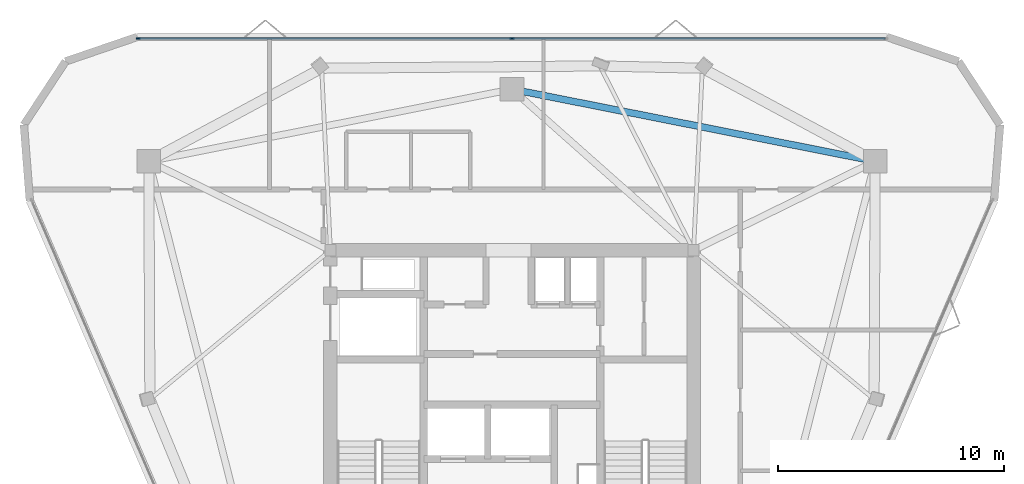
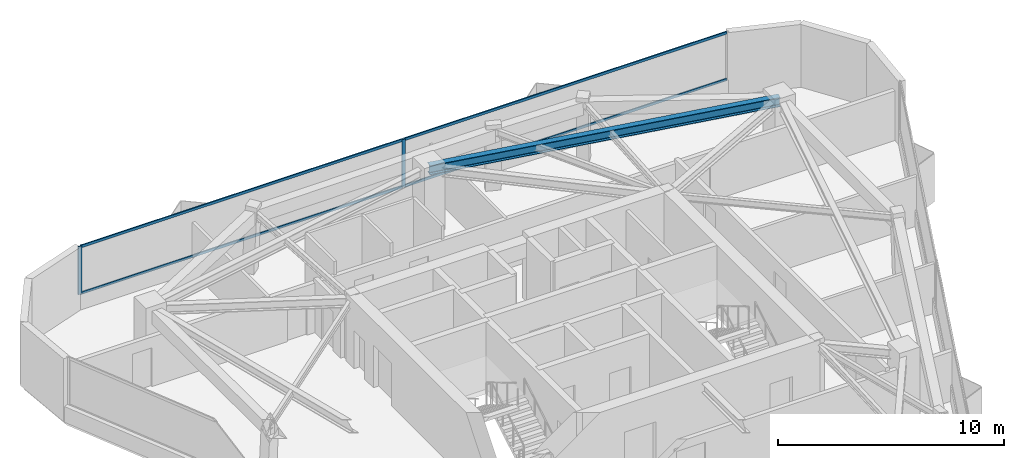
# One storey, part 5 of 10: 6 members, 1 beam, 1 element without a shape of its own.
"""IFC4 building model written with IfcOpenShell, lengths in metres."""

from ifc_helpers import new_model, si_unit, direction, frame, origin, origin_2d, place, context, subcontext, project, spatial, rectangle, i_section, extrude, material, layer, layer_set, material_profile, profile_set, type_object, element, aggregate, save


model = new_model("IFC4")

# Units and contexts
model_context = context("Model", 3, precision=1e-05, world=origin(), true_north=direction((0.0, 1.0)))
body_context = subcontext(model_context, "Body", "Model", "MODEL_VIEW")
ifc_project = project(units=[si_unit("LENGTHUNIT", "METRE"), si_unit("AREAUNIT", "SQUARE_METRE"), si_unit("VOLUMEUNIT", "CUBIC_METRE"), si_unit("PLANEANGLEUNIT", "RADIAN"), si_unit("MASSUNIT", "GRAM", prefix="KILO")], contexts=[model_context])

# Site, building, storey
site_placement = place(None, origin())
site = spatial("IfcSite", under=ifc_project, at=site_placement, CompositionType="ELEMENT")
building_placement = place(site_placement, origin())
building = spatial("IfcBuilding", under=site, at=building_placement, Name="Talyreon Biosciences Tower", CompositionType="ELEMENT")
storey_placement = place(building_placement, frame((0.0, 0.0, 287.449951171875)))
storey = spatial("IfcBuildingStorey", under=building, at=storey_placement, Name="L76", CompositionType="ELEMENT", Elevation=287.449951171875)

# Curtain wall, members
ifc_material_1 = material(Name="Thermally broken aluminium and low-E glazing", Category="aluminium")
ifc_layer = layer(ifc_material_1, 0.175048828125)
ifc_layer_set = layer_set([ifc_layer], Name="Thermally broken aluminium and low-E glazing")
curtain_wall_type = type_object("IfcCurtainWallType", Name="CurtainWall_Zone5CompLab", PredefinedType="NOTDEFINED", material=ifc_layer_set)
curtain_wall_placement = place(storey_placement, origin())
curtain_wall = element("IfcCurtainWall", 1, at=curtain_wall_placement, inside=storey, type_object=curtain_wall_type, Name="L76 Unitised Curtain Wall FCW-L76-04", PredefinedType="NOTDEFINED")
ifc_material_2 = material(Name="Anodised thermally broken aluminium", Category="aluminium")
ifc_material_profile_1 = material_profile(ifc_material_2, rectangle(XDim=0.06494140625, YDim=0.179931640625, at=origin_2d()), Name="ALUM MULLION 65x180")
ifc_profile_set_1 = profile_set([ifc_material_profile_1], Name="Anodised thermally broken aluminium")
member_type_1 = type_object("IfcMemberType", Name="CWMullion_65x180", PredefinedType="MULLION", material=ifc_profile_set_1)
member_1_placement = place(storey_placement, frame((49.4248046875, 84.037109375, 0.81005859375), z_axis=(0.0, 0.0, 1.0), x_axis=(0.0, 1.0, 0.0)))
member_1 = element("IfcMember", 2, at=member_1_placement, type_object=member_type_1, Name="CW6 mullion 1", PredefinedType="MULLION", context=body_context, shape_type="SweptSolid", body=[
    extrude(rectangle(XDim=0.06494140625, YDim=0.179931640625, at=origin_2d()), origin(), (0.0, 0.0, 1.0), 2.590087890625),
])
member_2_placement = place(storey_placement, frame((66.0, 84.037109375, 0.81005859375), z_axis=(0.0, 0.0, 1.0), x_axis=(0.0, 1.0, 0.0)))
member_2 = element("IfcMember", 3, at=member_2_placement, type_object=member_type_1, Name="CW6 mullion 2", PredefinedType="MULLION", context=body_context, shape_type="SweptSolid", body=[
    extrude(rectangle(XDim=0.06494140625, YDim=0.179931640625, at=origin_2d()), origin(), (0.0, 0.0, 1.0), 2.590087890625),
])
ifc_material_profile_2 = material_profile(ifc_material_2, rectangle(XDim=0.06494140625, YDim=0.139892578125, at=origin_2d()), Name="ALUM TRANSOM 65x140")
ifc_profile_set_2 = profile_set([ifc_material_profile_2], Name="Anodised thermally broken aluminium")
member_type_2 = type_object("IfcMemberType", Name="CWTransom_65x140", PredefinedType="USERDEFINED", material=ifc_profile_set_2)
member_3_placement = place(storey_placement, frame((49.457275390625, 84.037109375, 0.842529296875), z_axis=(1.0, 0.0, 0.0), x_axis=(0.0, 1.0, 0.0)))
member_3 = element("IfcMember", 4, at=member_3_placement, type_object=member_type_2, Name="CW6 transom 1.1", ObjectType="TRANSOM", PredefinedType="USERDEFINED", context=body_context, shape_type="SweptSolid", body=[
    extrude(rectangle(XDim=0.06494140625, YDim=0.139892578125, at=origin_2d()), origin(), (0.0, 0.0, 1.0), 16.51025390625),
])
member_4_placement = place(storey_placement, frame((49.457275390625, 84.037109375, 3.367431640625), z_axis=(1.0, 0.0, 0.0), x_axis=(0.0, 1.0, 0.0)))
member_4 = element("IfcMember", 5, at=member_4_placement, type_object=member_type_2, Name="CW6 transom 1.2", ObjectType="TRANSOM", PredefinedType="USERDEFINED", context=body_context, shape_type="SweptSolid", body=[
    extrude(rectangle(XDim=0.06494140625, YDim=0.139892578125, at=origin_2d()), origin(), (0.0, 0.0, 1.0), 16.51025390625),
])
member_5_placement = place(storey_placement, frame((66.032470703125, 84.037109375, 0.842529296875), z_axis=(1.0, 0.0, 0.0), x_axis=(0.0, 1.0, 0.0)))
member_5 = element("IfcMember", 6, at=member_5_placement, type_object=member_type_2, Name="CW6 transom 2.1", ObjectType="TRANSOM", PredefinedType="USERDEFINED", context=body_context, shape_type="SweptSolid", body=[
    extrude(rectangle(XDim=0.06494140625, YDim=0.139892578125, at=origin_2d()), origin(), (0.0, 0.0, 1.0), 16.51025390625),
])
member_6_placement = place(storey_placement, frame((66.032470703125, 84.037109375, 3.367431640625), z_axis=(1.0, 0.0, 0.0), x_axis=(0.0, 1.0, 0.0)))
member_6 = element("IfcMember", 7, at=member_6_placement, type_object=member_type_2, Name="CW6 transom 2.2", ObjectType="TRANSOM", PredefinedType="USERDEFINED", context=body_context, shape_type="SweptSolid", body=[
    extrude(rectangle(XDim=0.06494140625, YDim=0.139892578125, at=origin_2d()), origin(), (0.0, 0.0, 1.0), 16.51025390625),
])
aggregate(curtain_wall, [member_1, member_2, member_3, member_4, member_5, member_6])

# Beam
ifc_material_3 = material(Name="Steel SM355", Category="steel")
ifc_material_profile_3 = material_profile(ifc_material_3, i_section(OverallWidth=0.300048828125, OverallDepth=0.5, WebThickness=0.014404296875, FlangeThickness=0.028076171875, FilletRadius=0.027099609375, at=origin_2d()), Name="HE500B")
ifc_profile_set_3 = profile_set([ifc_material_profile_3], Name="Steel SM355")
beam_type = type_object("IfcBeamType", Name="SteelBeam_HE500B", PredefinedType="BEAM", material=ifc_profile_set_3)
beam_placement = place(storey_placement, frame((82.102294921875, 78.5986328125, 3.150146484375), z_axis=(-0.980933730698, 0.194342522311, 0.0), x_axis=(-0.194342522311, -0.980933730698, 0.0)))
element("IfcBeam", 8, at=beam_placement, inside=storey, type_object=beam_type, Name="L76 Mega-Ring Girder 3", PredefinedType="BEAM", context=body_context, shape_type="SweptSolid", body=[
    extrude(i_section(OverallWidth=0.300048828125, OverallDepth=0.5, WebThickness=0.014404296875, FlangeThickness=0.028076171875, FilletRadius=0.027099609375, at=origin_2d()), origin(), (0.0, 0.0, 1.0), 16.415283203125),
])

save(model, "model.ifc")
